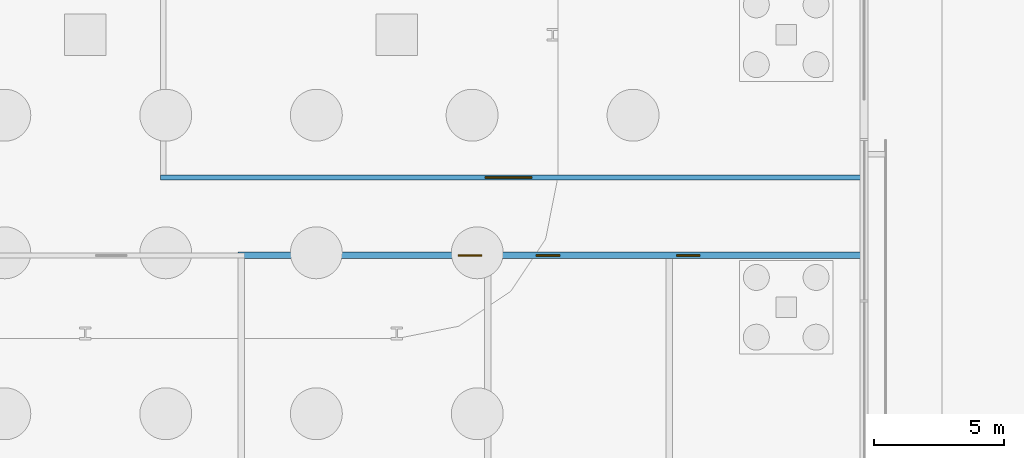
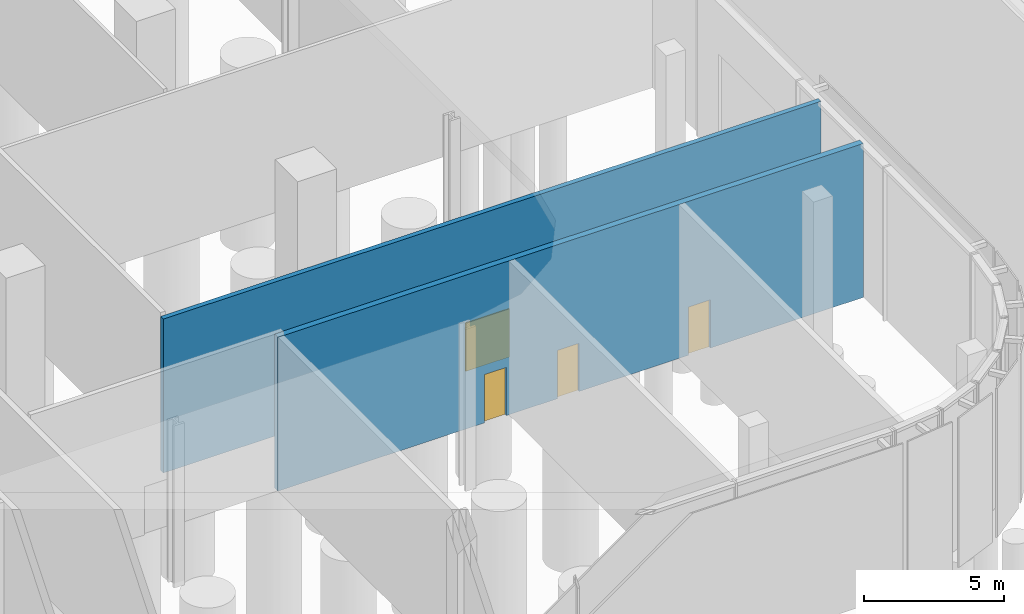
# One storey, part 23 of 48: 4 doors, 2 walls, 4 openings.
"""IFC4 building model written with IfcOpenShell, lengths in metres."""

from ifc_helpers import new_model, si_unit, direction, frame, frame_2d, origin, place, context, subcontext, project, spatial, rectangle, extrude, material, layer, layer_set, type_object, element, fill, save


model = new_model("IFC4")

# Units and contexts
model_context = context("Model", 3, precision=1e-05, world=origin(), true_north=direction((0.0, 1.0)))
body_context = subcontext(model_context, "Body", "Model", "MODEL_VIEW")
ifc_project = project(units=[si_unit("LENGTHUNIT", "METRE"), si_unit("AREAUNIT", "SQUARE_METRE"), si_unit("VOLUMEUNIT", "CUBIC_METRE"), si_unit("PLANEANGLEUNIT", "RADIAN"), si_unit("MASSUNIT", "GRAM", prefix="KILO")], contexts=[model_context])

# Site, building, storey
site_placement = place(None, origin())
site = spatial("IfcSite", under=ifc_project, at=site_placement, CompositionType="ELEMENT")
building_placement = place(site_placement, origin())
building = spatial("IfcBuilding", under=site, at=building_placement, Name="Mahtab Terrace Research Tower", CompositionType="ELEMENT")
storey_placement = place(building_placement, origin())
storey = spatial("IfcBuildingStorey", under=building, at=storey_placement, Name="G", CompositionType="ELEMENT", Elevation=0.0)

# Wall, openings, doors
ifc_material_1 = material(Name="Masonry control area wall", Category="masonry")
ifc_layer_1 = layer(ifc_material_1, 0.25)
ifc_layer_set_1 = layer_set([ifc_layer_1], Name="WALL CONTROL AREA 250")
wall_type_1 = type_object("IfcWallType", Name="WALL CONTROL AREA 250", PredefinedType="PARTITIONING", material=ifc_layer_set_1)
wall_1_placement = place(storey_placement, frame((35.875, -20.0, 0.0), z_axis=(0.0, 0.0, 1.0), x_axis=(1.0, 0.0, 0.0)))
wall_1 = element("IfcWall", 1, at=wall_1_placement, inside=storey, type_object=wall_type_1, Name="G-W004", PredefinedType="PARTITIONING", context=body_context, shape_type="SweptSolid", body=[
    extrude(rectangle(XDim=24.10009765625, YDim=0.25, at=frame_2d((12.050048828125, 0.0))), origin(), (0.0, 0.0, 1.0), 6.699951171875),
])
opening_1_placement = place(wall_1_placement, frame((8.5, 0.0, 0.0)))
opening_1 = element("IfcOpeningElement", 2, at=opening_1_placement, cuts=wall_1, Name="Opening G-103", PredefinedType="OPENING", context=body_context, shape_type="SweptSolid", body=[
    extrude(rectangle(XDim=0.89990234375, YDim=2.10009765625, at=frame_2d((0.449951171875, 1.050048828125))), frame((0.0, 0.135009765625, 0.0), z_axis=(0.0, -1.0, 0.0), x_axis=(1.0, 0.0, 0.0)), (0.0, 0.0, 1.0), 0.27001953125),
])
opening_2_placement = place(wall_1_placement, frame((11.5, 0.0, 0.0)))
opening_2 = element("IfcOpeningElement", 3, at=opening_2_placement, cuts=wall_1, Name="Opening G-104", PredefinedType="OPENING", context=body_context, shape_type="SweptSolid", body=[
    extrude(rectangle(XDim=0.89990234375, YDim=2.10009765625, at=frame_2d((0.449951171875, 1.050048828125))), frame((0.0, 0.135009765625, 0.0), z_axis=(0.0, -1.0, 0.0), x_axis=(1.0, 0.0, 0.0)), (0.0, 0.0, 1.0), 0.27001953125),
])
opening_3_placement = place(wall_1_placement, frame((16.89990234375, 0.0, 0.0)))
opening_3 = element("IfcOpeningElement", 4, at=opening_3_placement, cuts=wall_1, Name="Opening G-105", PredefinedType="OPENING", context=body_context, shape_type="SweptSolid", body=[
    extrude(rectangle(XDim=0.89990234375, YDim=2.10009765625, at=frame_2d((0.449951171875, 1.050048828125))), frame((0.0, 0.135009765625, 0.0), z_axis=(0.0, -1.0, 0.0), x_axis=(1.0, 0.0, 0.0)), (0.0, 0.0, 1.0), 0.27001953125),
])
ifc_material_2 = material(Name="Timber door leaf in steel frame", Category="steel")
door_type_1 = type_object("IfcDoorType", Name="DOOR 0900X2100 FD120", OperationType="SINGLE_SWING_LEFT", PredefinedType="DOOR", material=ifc_material_2)
door_1_placement = place(opening_1_placement, origin())
door_1 = element("IfcDoor", 5, at=door_1_placement, inside=storey, type_object=door_type_1, Name="Door G-103", OperationType="SINGLE_SWING_RIGHT", OverallHeight=2.10009765625, OverallWidth=0.89990234375, PredefinedType="DOOR", context=body_context, shape_type="SweptSolid", body=[
    extrude(rectangle(XDim=0.89990234375, YDim=2.10009765625, at=frame_2d((0.449951171875, 1.050048828125))), frame((0.0, 0.02490234375, 0.0), z_axis=(0.0, -1.0, 0.0), x_axis=(1.0, 0.0, 0.0)), (0.0, 0.0, 1.0), 0.050048828125),
])
fill(opening_1, door_1)
door_2_placement = place(opening_2_placement, origin())
door_2 = element("IfcDoor", 6, at=door_2_placement, inside=storey, type_object=door_type_1, Name="Door G-104", OperationType="SINGLE_SWING_RIGHT", OverallHeight=2.10009765625, OverallWidth=0.89990234375, PredefinedType="DOOR", context=body_context, shape_type="SweptSolid", body=[
    extrude(rectangle(XDim=0.89990234375, YDim=2.10009765625, at=frame_2d((0.449951171875, 1.050048828125))), frame((0.0, 0.02490234375, 0.0), z_axis=(0.0, -1.0, 0.0), x_axis=(1.0, 0.0, 0.0)), (0.0, 0.0, 1.0), 0.050048828125),
])
fill(opening_2, door_2)
door_3_placement = place(opening_3_placement, origin())
door_3 = element("IfcDoor", 7, at=door_3_placement, inside=storey, type_object=door_type_1, Name="Door G-105", OperationType="SINGLE_SWING_LEFT", OverallHeight=2.10009765625, OverallWidth=0.89990234375, PredefinedType="DOOR", context=body_context, shape_type="SweptSolid", body=[
    extrude(rectangle(XDim=0.89990234375, YDim=2.10009765625, at=frame_2d((0.449951171875, 1.050048828125))), frame((0.0, 0.02490234375, 0.0), z_axis=(0.0, -1.0, 0.0), x_axis=(1.0, 0.0, 0.0)), (0.0, 0.0, 1.0), 0.050048828125),
])
fill(opening_3, door_3)

# Wall, opening, door
ifc_material_3 = material(Name="Gypsum board corridor wall on steel studs", Category="steel")
ifc_layer_2 = layer(ifc_material_3, 0.199951171875)
ifc_layer_set_2 = layer_set([ifc_layer_2], Name="WALL CORRIDOR 200")
wall_type_2 = type_object("IfcWallType", Name="WALL CORRIDOR 200", PredefinedType="PARTITIONING", material=ifc_layer_set_2)
wall_2_placement = place(storey_placement, frame((32.89990234375, -17.0, 0.0), z_axis=(0.0, 0.0, 1.0), x_axis=(1.0, 0.0, 0.0)))
wall_2 = element("IfcWall", 8, at=wall_2_placement, inside=storey, type_object=wall_type_2, Name="G-W005", PredefinedType="PARTITIONING", context=body_context, shape_type="SweptSolid", body=[
    extrude(rectangle(XDim=27.0751953125, YDim=0.199951171875, at=frame_2d((13.53759765625, 0.0))), origin(), (0.0, 0.0, 1.0), 6.699951171875),
])
opening_4_placement = place(wall_2_placement, frame((12.5, 0.0, 0.0)))
opening_4 = element("IfcOpeningElement", 9, at=opening_4_placement, cuts=wall_2, Name="Opening G-109", PredefinedType="OPENING", context=body_context, shape_type="SweptSolid", body=[
    extrude(rectangle(XDim=1.800048828125, YDim=2.10009765625, at=frame_2d((0.89990234375, 1.050048828125))), frame((0.0, 0.10986328125, 0.0), z_axis=(0.0, -1.0, 0.0), x_axis=(1.0, 0.0, 0.0)), (0.0, 0.0, 1.0), 0.219970703125),
])
door_type_2 = type_object("IfcDoorType", Name="DOOR 1800X2100 FD30S", OperationType="DOUBLE_DOOR_SINGLE_SWING", PredefinedType="DOOR", material=ifc_material_2)
door_4_placement = place(opening_4_placement, origin())
door_4 = element("IfcDoor", 10, at=door_4_placement, inside=storey, type_object=door_type_2, Name="Door G-109", OperationType="DOUBLE_DOOR_SINGLE_SWING", OverallHeight=2.10009765625, OverallWidth=1.800048828125, PredefinedType="DOOR", context=body_context, shape_type="SweptSolid", body=[
    extrude(rectangle(XDim=1.800048828125, YDim=2.10009765625, at=frame_2d((0.89990234375, 1.050048828125))), frame((0.0, 0.02490234375, 0.0), z_axis=(0.0, -1.0, 0.0), x_axis=(1.0, 0.0, 0.0)), (0.0, 0.0, 1.0), 0.050048828125),
])
fill(opening_4, door_4)

save(model, "model.ifc")
